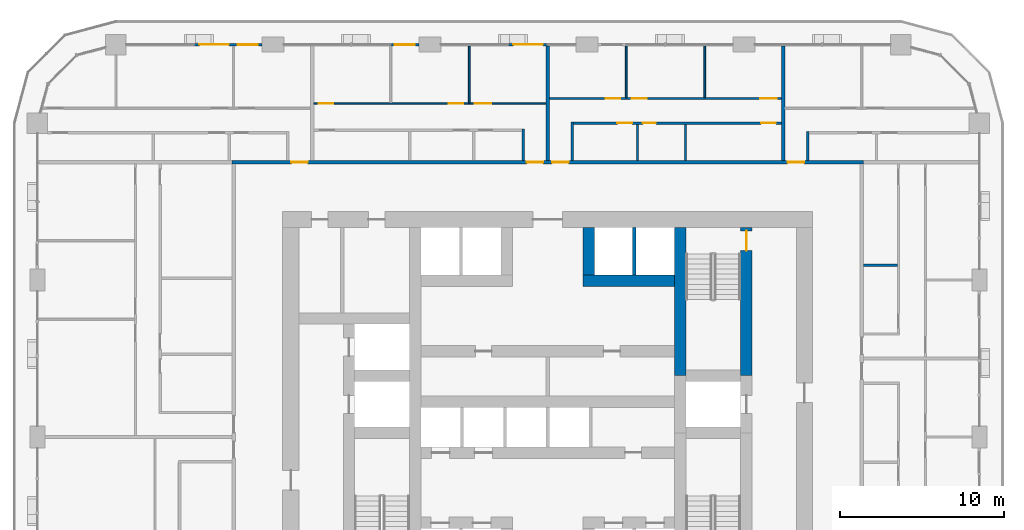
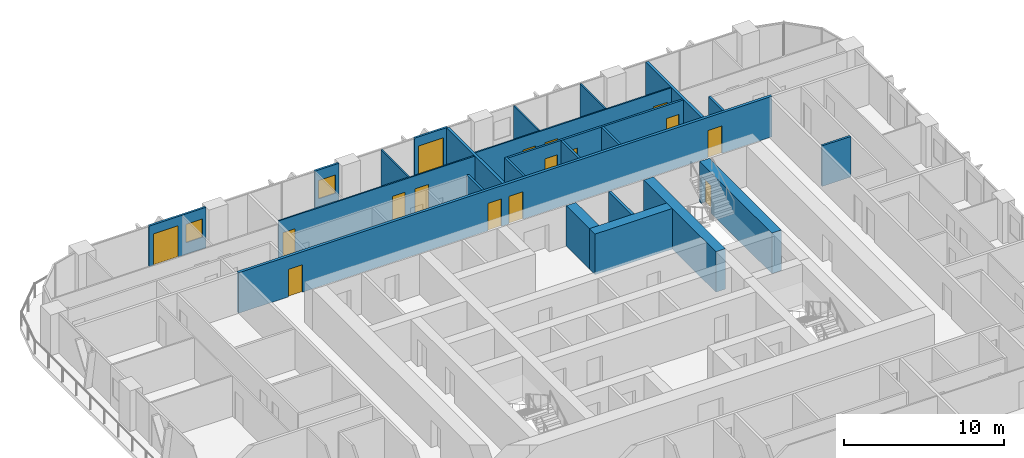
# One storey, part 14 of 21: 23 walls, 16 doors, 2 windows, 18 openings.
"""IFC4 building model written with IfcOpenShell, lengths in metres."""

from ifc_helpers import new_model, si_unit, direction, frame, frame_2d, origin, place, context, subcontext, project, spatial, rectangle, extrude, material, layer, layer_set, type_object, element, fill, save


model = new_model("IFC4")

# Units and contexts
model_context = context("Model", 3, precision=1e-05, world=origin(), true_north=direction((0.0, 1.0)))
body_context = subcontext(model_context, "Body", "Model", "MODEL_VIEW")
ifc_project = project(units=[si_unit("LENGTHUNIT", "METRE"), si_unit("AREAUNIT", "SQUARE_METRE"), si_unit("VOLUMEUNIT", "CUBIC_METRE"), si_unit("PLANEANGLEUNIT", "RADIAN"), si_unit("MASSUNIT", "GRAM", prefix="KILO")], contexts=[model_context])

# Site, building, storey
site_placement = place(None, origin())
site = spatial("IfcSite", under=ifc_project, at=site_placement, CompositionType="ELEMENT")
building_placement = place(site_placement, origin())
building = spatial("IfcBuilding", under=site, at=building_placement, Name="Madar Terraces", CompositionType="ELEMENT")
storey_placement = place(building_placement, frame((0.0, 0.0, 50.39990234375)))
storey = spatial("IfcBuildingStorey", under=building, at=storey_placement, Name="L12", CompositionType="ELEMENT", Elevation=50.39990234375)

# Wall
ifc_material_1 = material(Name="Concrete C80/95", Category="concrete")
ifc_layer_1 = layer(ifc_material_1, 0.699951171875)
ifc_layer_set_1 = layer_set([ifc_layer_1], Name="Concrete C80/95 (CIW1 RC wall 700)")
wall_type_1 = type_object("IfcWallType", Name="CIW1 RC wall 700", PredefinedType="SHEAR", material=ifc_layer_set_1)
wall_1_placement = place(storey_placement, frame((39.300048828125, 27.75, 0.0), z_axis=(0.0, 0.0, 1.0), x_axis=(0.0, 1.0, 0.0)))
element("IfcWall", 1, at=wall_1_placement, inside=storey, type_object=wall_type_1, Name="CORE SHAFT WALL", PredefinedType="SHEAR", context=body_context, shape_type="SweptSolid", body=[
    extrude(rectangle(XDim=9.050048828125, YDim=0.699951171875, at=frame_2d((4.52490234375, 0.0))), origin(), (0.0, 0.0, 1.0), 3.10009765625),
])

# Wall, opening, door
wall_2_placement = place(storey_placement, frame((43.35009765625, 27.75, 0.0), z_axis=(0.0, 0.0, 1.0), x_axis=(0.0, 1.0, 0.0)))
wall_2 = element("IfcWall", 2, at=wall_2_placement, inside=storey, type_object=wall_type_1, Name="CORE SHAFT WALL", PredefinedType="SHEAR", context=body_context, shape_type="SweptSolid", body=[
    extrude(rectangle(XDim=9.050048828125, YDim=0.699951171875, at=frame_2d((4.52490234375, 0.0))), origin(), (0.0, 0.0, 1.0), 3.10009765625),
])
opening_1_placement = place(wall_2_placement, frame((7.64990234375, 0.0, 0.0)))
opening_1 = element("IfcOpeningElement", 3, at=opening_1_placement, cuts=wall_2, Name="Opening SD1", PredefinedType="OPENING", context=body_context, shape_type="SweptSolid", body=[
    extrude(rectangle(XDim=1.199951171875, YDim=2.10009765625, at=frame_2d((0.60009765625, 1.050048828125))), frame((0.0, 0.35986328125, 0.0), z_axis=(0.0, -1.0, 0.0), x_axis=(1.0, 0.0, 0.0)), (0.0, 0.0, 1.0), 0.719970703125),
])
ifc_material_2 = material(Name="Steel door leaf", Category="steel")
door_type_1 = type_object("IfcDoorType", Name="Stair door 1200 x 2100", OperationType="NOTDEFINED", PredefinedType="DOOR", material=ifc_material_2)
door_1_placement = place(opening_1_placement, origin())
door_1 = element("IfcDoor", 4, at=door_1_placement, inside=storey, type_object=door_type_1, Name="STAIR DOOR", OperationType="SINGLE_SWING_RIGHT", OverallHeight=2.10009765625, OverallWidth=1.199951171875, PredefinedType="DOOR", context=body_context, shape_type="SweptSolid", body=[
    extrude(rectangle(XDim=1.199951171875, YDim=2.10009765625, at=frame_2d((0.60009765625, 1.050048828125))), frame((0.0, 0.02490234375, 0.0), z_axis=(0.0, -1.0, 0.0), x_axis=(1.0, 0.0, 0.0)), (0.0, 0.0, 1.0), 0.050048828125),
])
fill(opening_1, door_1)

# Walls
wall_3_placement = place(storey_placement, frame((33.35009765625, 33.550048828125, 0.0), z_axis=(0.0, 0.0, 1.0), x_axis=(1.0, 0.0, 0.0)))
element("IfcWall", 5, at=wall_3_placement, inside=storey, type_object=wall_type_1, Name="CORE SHAFT WALL", PredefinedType="SHEAR", context=body_context, shape_type="SweptSolid", body=[
    extrude(rectangle(XDim=5.599853515625, YDim=0.699951171875, at=frame_2d((2.7998046875, 0.0))), origin(), (0.0, 0.0, 1.0), 3.10009765625),
])
wall_4_placement = place(storey_placement, frame((33.699951171875, 33.89990234375, 0.0), z_axis=(0.0, 0.0, 1.0), x_axis=(0.0, 1.0, 0.0)))
element("IfcWall", 6, at=wall_4_placement, inside=storey, type_object=wall_type_1, Name="CORE SHAFT WALL", PredefinedType="SHEAR", context=body_context, shape_type="SweptSolid", body=[
    extrude(rectangle(XDim=2.900146484375, YDim=0.699951171875, at=frame_2d((1.4501953125, 0.0))), origin(), (0.0, 0.0, 1.0), 3.10009765625),
])
ifc_material_3 = material(Name="Concrete C40/50", Category="concrete")
ifc_layer_2 = layer(ifc_material_3, 0.199951171875)
ifc_layer_set_2 = layer_set([ifc_layer_2], Name="Core shaft dividing wall 200 C40/50")
wall_type_2 = type_object("IfcWallType", Name="Core shaft dividing wall 200 C40/50", PredefinedType="SOLIDWALL", material=ifc_layer_set_2)
wall_5_placement = place(storey_placement, frame((36.5, 33.89990234375, 0.0), z_axis=(0.0, 0.0, 1.0), x_axis=(0.0, 1.0, 0.0)))
element("IfcWall", 7, at=wall_5_placement, inside=storey, type_object=wall_type_2, Name="SHAFT DIVIDING WALL", PredefinedType="SOLIDWALL", context=body_context, shape_type="SweptSolid", body=[
    extrude(rectangle(XDim=2.900146484375, YDim=0.199951171875, at=frame_2d((1.4501953125, 0.0))), origin(), (0.0, 0.0, 1.0), 3.10009765625),
])

# Wall, opening, door
ifc_material_4 = material(Name="Aluminium composite panel, black, over insulated backing", Category="aluminium")
ifc_layer_3 = layer(ifc_material_4, 0.14990234375)
ifc_layer_set_3 = layer_set([ifc_layer_3], Name="Facade bay panel 150")
wall_type_3 = type_object("IfcWallType", Name="Facade bay panel 150", PredefinedType="SOLIDWALL", material=ifc_layer_set_3)
wall_6_placement = place(storey_placement, frame((31.199951171875, 48.0, 0.0), z_axis=(0.0, 0.0, 1.0), x_axis=(-1.0, 0.0, 0.0)))
wall_6 = element("IfcWall", 8, at=wall_6_placement, inside=storey, type_object=wall_type_3, Name="Facade bay panel", PredefinedType="SOLIDWALL", context=body_context, shape_type="SweptSolid", body=[
    extrude(rectangle(XDim=2.39990234375, YDim=0.14990234375, at=frame_2d((1.199951171875, 0.0))), origin(), (0.0, 0.0, 1.0), 3.10009765625),
])
opening_2_placement = place(wall_6_placement, frame((0.300048828125, 0.0, 0.0)))
opening_2 = element("IfcOpeningElement", 9, at=opening_2_placement, cuts=wall_6, Name="Opening ED1", PredefinedType="OPENING", context=body_context, shape_type="SweptSolid", body=[
    extrude(rectangle(XDim=1.800048828125, YDim=2.39990234375, at=frame_2d((0.89990234375, 1.199951171875))), frame((0.0, 0.0849609375, 0.0), z_axis=(0.0, -1.0, 0.0), x_axis=(1.0, 0.0, 0.0)), (0.0, 0.0, 1.0), 0.169921875),
])
ifc_material_5 = material(Name="Glass, clear, with black aluminium frame", Category="aluminium")
door_type_2 = type_object("IfcDoorType", Name="Balcony and terrace sliding door 1800 x 2400", OperationType="SLIDING_TO_LEFT", PredefinedType="DOOR", material=ifc_material_5)
door_2_placement = place(opening_2_placement, origin())
door_2 = element("IfcDoor", 10, at=door_2_placement, inside=storey, type_object=door_type_2, Name="Balcony door", OperationType="SLIDING_TO_LEFT", OverallHeight=2.39990234375, OverallWidth=1.800048828125, PredefinedType="DOOR", context=body_context, shape_type="SweptSolid", body=[
    extrude(rectangle(XDim=1.800048828125, YDim=2.39990234375, at=frame_2d((0.89990234375, 1.199951171875))), frame((0.0, 0.02490234375, 0.0), z_axis=(0.0, -1.0, 0.0), x_axis=(1.0, 0.0, 0.0)), (0.0, 0.0, 1.0), 0.050048828125),
])
fill(opening_2, door_2)

# Wall, opening, window
wall_7_placement = place(storey_placement, frame((23.324951171875, 48.0, 0.0), z_axis=(0.0, 0.0, 1.0), x_axis=(-1.0, 0.0, 0.0)))
wall_7 = element("IfcWall", 11, at=wall_7_placement, inside=storey, type_object=wall_type_3, Name="Facade bay panel", PredefinedType="SOLIDWALL", context=body_context, shape_type="SweptSolid", body=[
    extrude(rectangle(XDim=1.724853515625, YDim=0.14990234375, at=frame_2d((0.8623046875, 0.0))), origin(), (0.0, 0.0, 1.0), 3.10009765625),
])
opening_3_placement = place(wall_7_placement, frame((0.262451171875, 0.0, 0.89990234375)))
opening_3 = element("IfcOpeningElement", 12, at=opening_3_placement, cuts=wall_7, Name="Opening W1", PredefinedType="OPENING", context=body_context, shape_type="SweptSolid", body=[
    extrude(rectangle(XDim=1.199951171875, YDim=1.39990234375, at=frame_2d((0.60009765625, 0.699951171875))), frame((0.0, 0.0849609375, 0.0), z_axis=(0.0, -1.0, 0.0), x_axis=(1.0, 0.0, 0.0)), (0.0, 0.0, 1.0), 0.169921875),
])
ifc_material_6 = material(Name="Glass, clear, with black aluminium frame", Category="aluminium")
window_type = type_object("IfcWindowType", Name="Vent window 1200 x 1400", PartitioningType="SINGLE_PANEL", PredefinedType="WINDOW", material=ifc_material_6)
window_1_placement = place(opening_3_placement, origin())
window_1 = element("IfcWindow", 13, at=window_1_placement, inside=storey, type_object=window_type, Name="Operable vent window", OverallHeight=1.39990234375, OverallWidth=1.199951171875, PartitioningType="SINGLE_PANEL", PredefinedType="WINDOW", context=body_context, shape_type="SweptSolid", body=[
    extrude(rectangle(XDim=1.199951171875, YDim=1.39990234375, at=frame_2d((0.60009765625, 0.699951171875))), frame((0.0, 0.030029296875, 0.0), z_axis=(0.0, -1.0, 0.0), x_axis=(1.0, 0.0, 0.0)), (0.0, 0.0, 1.0), 0.06005859375),
])
fill(opening_3, window_1)

# Wall, openings, door, window
wall_8_placement = place(storey_placement, frame((13.72509765625, 48.0, 0.0), z_axis=(0.0, 0.0, 1.0), x_axis=(-1.0, 0.0, 0.0)))
wall_8 = element("IfcWall", 14, at=wall_8_placement, inside=storey, type_object=wall_type_3, Name="Facade bay panel", PredefinedType="SOLIDWALL", context=body_context, shape_type="SweptSolid", body=[
    extrude(rectangle(XDim=4.125, YDim=0.14990234375, at=frame_2d((2.0625, 0.0))), origin(), (0.0, 0.0, 1.0), 3.10009765625),
])
opening_4_placement = place(wall_8_placement, frame((0.262451171875, 0.0, 0.89990234375)))
opening_4 = element("IfcOpeningElement", 15, at=opening_4_placement, cuts=wall_8, Name="Opening W1", PredefinedType="OPENING", context=body_context, shape_type="SweptSolid", body=[
    extrude(rectangle(XDim=1.199951171875, YDim=1.39990234375, at=frame_2d((0.60009765625, 0.699951171875))), frame((0.0, 0.0849609375, 0.0), z_axis=(0.0, -1.0, 0.0), x_axis=(1.0, 0.0, 0.0)), (0.0, 0.0, 1.0), 0.169921875),
])
opening_5_placement = place(wall_8_placement, frame((2.02490234375, 0.0, 0.0)))
opening_5 = element("IfcOpeningElement", 16, at=opening_5_placement, cuts=wall_8, Name="Opening ED1", PredefinedType="OPENING", context=body_context, shape_type="SweptSolid", body=[
    extrude(rectangle(XDim=1.800048828125, YDim=2.39990234375, at=frame_2d((0.89990234375, 1.199951171875))), frame((0.0, 0.0849609375, 0.0), z_axis=(0.0, -1.0, 0.0), x_axis=(1.0, 0.0, 0.0)), (0.0, 0.0, 1.0), 0.169921875),
])
door_3_placement = place(opening_5_placement, origin())
door_3 = element("IfcDoor", 17, at=door_3_placement, inside=storey, type_object=door_type_2, Name="Balcony door", OperationType="SLIDING_TO_RIGHT", OverallHeight=2.39990234375, OverallWidth=1.800048828125, PredefinedType="DOOR", context=body_context, shape_type="SweptSolid", body=[
    extrude(rectangle(XDim=1.800048828125, YDim=2.39990234375, at=frame_2d((0.89990234375, 1.199951171875))), frame((0.0, 0.02490234375, 0.0), z_axis=(0.0, -1.0, 0.0), x_axis=(1.0, 0.0, 0.0)), (0.0, 0.0, 1.0), 0.050048828125),
])
fill(opening_5, door_3)
window_2_placement = place(opening_4_placement, origin())
window_2 = element("IfcWindow", 18, at=window_2_placement, inside=storey, type_object=window_type, Name="Operable vent window", OverallHeight=1.39990234375, OverallWidth=1.199951171875, PartitioningType="SINGLE_PANEL", PredefinedType="WINDOW", context=body_context, shape_type="SweptSolid", body=[
    extrude(rectangle(XDim=1.199951171875, YDim=1.39990234375, at=frame_2d((0.60009765625, 0.699951171875))), frame((0.0, 0.030029296875, 0.0), z_axis=(0.0, -1.0, 0.0), x_axis=(1.0, 0.0, 0.0)), (0.0, 0.0, 1.0), 0.06005859375),
])
fill(opening_4, window_2)

# Walls
ifc_material_7 = material(Name="Gypsum board on steel studs", Category="steel")
ifc_layer_4 = layer(ifc_material_7, 0.10009765625)
ifc_layer_set_4 = layer_set([ifc_layer_4], Name="Flat partition 100")
wall_type_4 = type_object("IfcWallType", Name="Flat partition 100", PredefinedType="PARTITIONING", material=ifc_layer_set_4)
for number, where, z_axis, x_axis, name in (
    (19, (36.0, 44.75, 0.0), (0.0, 0.0, 1.0), (0.0, 1.0, 0.0), "Flat partition 100"),
    (20, (40.800048828125, 44.75, 0.0), (0.0, 0.0, 1.0), (0.0, 1.0, 0.0), "Flat partition 100"),
):
    element("IfcWall", number, at=place(storey_placement, frame(where, z_axis=z_axis, x_axis=x_axis)), inside=storey, type_object=wall_type_4, Name=name, PredefinedType="PARTITIONING", context=body_context, shape_type="SweptSolid", body=[
        extrude(rectangle(XDim=3.14990234375, YDim=0.10009765625, at=frame_2d((1.574951171875, 0.0))), origin(), (0.0, 0.0, 1.0), 3.10009765625),
    ])

# Wall, openings, doors
wall_9_placement = place(storey_placement, frame((31.300048828125, 44.699951171875, 0.0), z_axis=(0.0, 0.0, 1.0), x_axis=(1.0, 0.0, 0.0)))
wall_9 = element("IfcWall", 21, at=wall_9_placement, inside=storey, type_object=wall_type_4, Name="Flat partition 100", PredefinedType="PARTITIONING", context=body_context, shape_type="SweptSolid", body=[
    extrude(rectangle(XDim=14.199951171875, YDim=0.10009765625, at=frame_2d((7.10009765625, 0.0))), origin(), (0.0, 0.0, 1.0), 3.10009765625),
])
opening_6_placement = place(wall_9_placement, frame((3.449951171875, 0.0, 0.0)))
opening_6 = element("IfcOpeningElement", 22, at=opening_6_placement, cuts=wall_9, Name="Opening D2", PredefinedType="OPENING", context=body_context, shape_type="SweptSolid", body=[
    extrude(rectangle(XDim=0.89990234375, YDim=2.10009765625, at=frame_2d((0.449951171875, 1.050048828125))), frame((0.0, 0.06005859375, 0.0), z_axis=(0.0, -1.0, 0.0), x_axis=(1.0, 0.0, 0.0)), (0.0, 0.0, 1.0), 0.1201171875),
])
opening_7_placement = place(wall_9_placement, frame((5.050048828125, 0.0, 0.0)))
opening_7 = element("IfcOpeningElement", 23, at=opening_7_placement, cuts=wall_9, Name="Opening D2", PredefinedType="OPENING", context=body_context, shape_type="SweptSolid", body=[
    extrude(rectangle(XDim=0.89990234375, YDim=2.10009765625, at=frame_2d((0.449951171875, 1.050048828125))), frame((0.0, 0.06005859375, 0.0), z_axis=(0.0, -1.0, 0.0), x_axis=(1.0, 0.0, 0.0)), (0.0, 0.0, 1.0), 0.1201171875),
])
opening_8_placement = place(wall_9_placement, frame((12.89990234375, 0.0, 0.0)))
opening_8 = element("IfcOpeningElement", 24, at=opening_8_placement, cuts=wall_9, Name="Opening D3", PredefinedType="OPENING", context=body_context, shape_type="SweptSolid", body=[
    extrude(rectangle(XDim=1.0, YDim=2.10009765625, at=frame_2d((0.5, 1.050048828125))), frame((0.0, 0.06005859375, 0.0), z_axis=(0.0, -1.0, 0.0), x_axis=(1.0, 0.0, 0.0)), (0.0, 0.0, 1.0), 0.1201171875),
])
ifc_material_8 = material(Name="Timber door leaf", Category="wood")
door_type_3 = type_object("IfcDoorType", Name="Flat living room door 1000", OperationType="NOTDEFINED", PredefinedType="DOOR", material=ifc_material_8)
door_4_placement = place(opening_8_placement, origin())
door_4 = element("IfcDoor", 25, at=door_4_placement, inside=storey, type_object=door_type_3, Name="Flat living room door 1000", OperationType="SINGLE_SWING_RIGHT", OverallHeight=2.10009765625, OverallWidth=1.0, PredefinedType="DOOR", context=body_context, shape_type="SweptSolid", body=[
    extrude(rectangle(XDim=1.0, YDim=2.10009765625, at=frame_2d((0.5, 1.050048828125))), frame((0.0, 0.02490234375, 0.0), z_axis=(0.0, -1.0, 0.0), x_axis=(1.0, 0.0, 0.0)), (0.0, 0.0, 1.0), 0.050048828125),
])
fill(opening_8, door_4)
ifc_material_9 = material(Name="Timber door leaf", Category="wood")
door_type_4 = type_object("IfcDoorType", Name="Flat room door 900", OperationType="NOTDEFINED", PredefinedType="DOOR", material=ifc_material_9)
door_5_placement = place(opening_6_placement, origin())
door_5 = element("IfcDoor", 26, at=door_5_placement, inside=storey, type_object=door_type_4, Name="Flat room door 900", OperationType="SINGLE_SWING_RIGHT", OverallHeight=2.10009765625, OverallWidth=0.89990234375, PredefinedType="DOOR", context=body_context, shape_type="SweptSolid", body=[
    extrude(rectangle(XDim=0.89990234375, YDim=2.10009765625, at=frame_2d((0.449951171875, 1.050048828125))), frame((0.0, 0.02490234375, 0.0), z_axis=(0.0, -1.0, 0.0), x_axis=(1.0, 0.0, 0.0)), (0.0, 0.0, 1.0), 0.050048828125),
])
fill(opening_6, door_5)
door_6_placement = place(opening_7_placement, origin())
door_6 = element("IfcDoor", 27, at=door_6_placement, inside=storey, type_object=door_type_4, Name="Flat room door 900", OperationType="SINGLE_SWING_LEFT", OverallHeight=2.10009765625, OverallWidth=0.89990234375, PredefinedType="DOOR", context=body_context, shape_type="SweptSolid", body=[
    extrude(rectangle(XDim=0.89990234375, YDim=2.10009765625, at=frame_2d((0.449951171875, 1.050048828125))), frame((0.0, 0.02490234375, 0.0), z_axis=(0.0, -1.0, 0.0), x_axis=(1.0, 0.0, 0.0)), (0.0, 0.0, 1.0), 0.050048828125),
])
fill(opening_7, door_6)

# Wall
wall_10_placement = place(storey_placement, frame((26.39990234375, 44.449951171875, 0.0), z_axis=(0.0, 0.0, 1.0), x_axis=(0.0, 1.0, 0.0)))
element("IfcWall", 28, at=wall_10_placement, inside=storey, type_object=wall_type_4, Name="Flat partition 100", PredefinedType="PARTITIONING", context=body_context, shape_type="SweptSolid", body=[
    extrude(rectangle(XDim=3.449951171875, YDim=0.10009765625, at=frame_2d((1.72509765625, 0.0))), origin(), (0.0, 0.0, 1.0), 3.10009765625),
])

# Wall, openings, doors
wall_11_placement = place(storey_placement, frame((16.89990234375, 44.39990234375, 0.0), z_axis=(0.0, 0.0, 1.0), x_axis=(1.0, 0.0, 0.0)))
wall_11 = element("IfcWall", 29, at=wall_11_placement, inside=storey, type_object=wall_type_4, Name="Flat partition 100", PredefinedType="PARTITIONING", context=body_context, shape_type="SweptSolid", body=[
    extrude(rectangle(XDim=14.2001953125, YDim=0.10009765625, at=frame_2d((7.10009765625, 0.0))), origin(), (0.0, 0.0, 1.0), 3.10009765625),
])
opening_9_placement = place(wall_11_placement, frame((9.85009765625, 0.0, 0.0)))
opening_9 = element("IfcOpeningElement", 30, at=opening_9_placement, cuts=wall_11, Name="Opening D3", PredefinedType="OPENING", context=body_context, shape_type="SweptSolid", body=[
    extrude(rectangle(XDim=1.0, YDim=2.10009765625, at=frame_2d((0.5, 1.050048828125))), frame((0.0, 0.06005859375, 0.0), z_axis=(0.0, -1.0, 0.0), x_axis=(1.0, 0.0, 0.0)), (0.0, 0.0, 1.0), 0.1201171875),
])
opening_10_placement = place(wall_11_placement, frame((8.25, 0.0, 0.0)))
opening_10 = element("IfcOpeningElement", 31, at=opening_10_placement, cuts=wall_11, Name="Opening D2", PredefinedType="OPENING", context=body_context, shape_type="SweptSolid", body=[
    extrude(rectangle(XDim=0.89990234375, YDim=2.10009765625, at=frame_2d((0.449951171875, 1.050048828125))), frame((0.0, 0.06005859375, 0.0), z_axis=(0.0, -1.0, 0.0), x_axis=(1.0, 0.0, 0.0)), (0.0, 0.0, 1.0), 0.1201171875),
])
opening_11_placement = place(wall_11_placement, frame((0.300048828125, 0.0, 0.0)))
opening_11 = element("IfcOpeningElement", 32, at=opening_11_placement, cuts=wall_11, Name="Opening D2", PredefinedType="OPENING", context=body_context, shape_type="SweptSolid", body=[
    extrude(rectangle(XDim=0.89990234375, YDim=2.10009765625, at=frame_2d((0.449951171875, 1.050048828125))), frame((0.0, 0.06005859375, 0.0), z_axis=(0.0, -1.0, 0.0), x_axis=(1.0, 0.0, 0.0)), (0.0, 0.0, 1.0), 0.1201171875),
])
door_7_placement = place(opening_9_placement, origin())
door_7 = element("IfcDoor", 33, at=door_7_placement, inside=storey, type_object=door_type_3, Name="Flat living room door 1000", OperationType="SINGLE_SWING_LEFT", OverallHeight=2.10009765625, OverallWidth=1.0, PredefinedType="DOOR", context=body_context, shape_type="SweptSolid", body=[
    extrude(rectangle(XDim=1.0, YDim=2.10009765625, at=frame_2d((0.5, 1.050048828125))), frame((0.0, 0.02490234375, 0.0), z_axis=(0.0, -1.0, 0.0), x_axis=(1.0, 0.0, 0.0)), (0.0, 0.0, 1.0), 0.050048828125),
])
fill(opening_9, door_7)
door_8_placement = place(opening_10_placement, origin())
door_8 = element("IfcDoor", 34, at=door_8_placement, inside=storey, type_object=door_type_4, Name="Flat room door 900", OperationType="SINGLE_SWING_RIGHT", OverallHeight=2.10009765625, OverallWidth=0.89990234375, PredefinedType="DOOR", context=body_context, shape_type="SweptSolid", body=[
    extrude(rectangle(XDim=0.89990234375, YDim=2.10009765625, at=frame_2d((0.449951171875, 1.050048828125))), frame((0.0, 0.02490234375, 0.0), z_axis=(0.0, -1.0, 0.0), x_axis=(1.0, 0.0, 0.0)), (0.0, 0.0, 1.0), 0.050048828125),
])
fill(opening_10, door_8)
door_9_placement = place(opening_11_placement, origin())
door_9 = element("IfcDoor", 35, at=door_9_placement, inside=storey, type_object=door_type_4, Name="Flat room door 900", OperationType="SINGLE_SWING_LEFT", OverallHeight=2.10009765625, OverallWidth=0.89990234375, PredefinedType="DOOR", context=body_context, shape_type="SweptSolid", body=[
    extrude(rectangle(XDim=0.89990234375, YDim=2.10009765625, at=frame_2d((0.449951171875, 1.050048828125))), frame((0.0, 0.02490234375, 0.0), z_axis=(0.0, -1.0, 0.0), x_axis=(1.0, 0.0, 0.0)), (0.0, 0.0, 1.0), 0.050048828125),
])
fill(opening_11, door_9)

ifc_material_10 = material(Name="Lightweight blockwork", Category="masonry")
ifc_layer_5 = layer(ifc_material_10, 0.199951171875)
ifc_layer_set_5 = layer_set([ifc_layer_5], Name="Flat party and entrance wall 200")
wall_type_5 = type_object("IfcWallType", Name="Flat party and entrance wall 200", PredefinedType="PARTITIONING", material=ifc_layer_set_5)
wall_12_placement = place(storey_placement, frame((11.89990234375, 40.800048828125, 0.0), z_axis=(0.0, 0.0, 1.0), x_axis=(1.0, 0.0, 0.0)))
wall_12 = element("IfcWall", 36, at=wall_12_placement, inside=storey, type_object=wall_type_5, Name="Flat party and entrance wall 200", PredefinedType="PARTITIONING", context=body_context, shape_type="SweptSolid", body=[
    extrude(rectangle(XDim=38.60009765625, YDim=0.199951171875, at=frame_2d((19.300048828125, 0.0))), origin(), (0.0, 0.0, 1.0), 3.10009765625),
])
opening_12_placement = place(wall_12_placement, frame((33.97509765625, 0.0, 0.0)))
opening_12 = element("IfcOpeningElement", 37, at=opening_12_placement, cuts=wall_12, Name="Opening D1", PredefinedType="OPENING", context=body_context, shape_type="SweptSolid", body=[
    extrude(rectangle(XDim=1.0, YDim=2.10009765625, at=frame_2d((0.5, 1.050048828125))), frame((0.0, 0.10986328125, 0.0), z_axis=(0.0, -1.0, 0.0), x_axis=(1.0, 0.0, 0.0)), (0.0, 0.0, 1.0), 0.219970703125),
])
opening_13_placement = place(wall_12_placement, frame((19.574951171875, 0.0, 0.0)))
opening_13 = element("IfcOpeningElement", 38, at=opening_13_placement, cuts=wall_12, Name="Opening D1", PredefinedType="OPENING", context=body_context, shape_type="SweptSolid", body=[
    extrude(rectangle(XDim=1.0, YDim=2.10009765625, at=frame_2d((0.5, 1.050048828125))), frame((0.0, 0.10986328125, 0.0), z_axis=(0.0, -1.0, 0.0), x_axis=(1.0, 0.0, 0.0)), (0.0, 0.0, 1.0), 0.219970703125),
])
opening_14_placement = place(wall_12_placement, frame((18.02490234375, 0.0, 0.0)))
opening_14 = element("IfcOpeningElement", 39, at=opening_14_placement, cuts=wall_12, Name="Opening D1", PredefinedType="OPENING", context=body_context, shape_type="SweptSolid", body=[
    extrude(rectangle(XDim=1.0, YDim=2.10009765625, at=frame_2d((0.5, 1.050048828125))), frame((0.0, 0.10986328125, 0.0), z_axis=(0.0, -1.0, 0.0), x_axis=(1.0, 0.0, 0.0)), (0.0, 0.0, 1.0), 0.219970703125),
])
opening_15_placement = place(wall_12_placement, frame((3.625, 0.0, 0.0)))
opening_15 = element("IfcOpeningElement", 40, at=opening_15_placement, cuts=wall_12, Name="Opening D1", PredefinedType="OPENING", context=body_context, shape_type="SweptSolid", body=[
    extrude(rectangle(XDim=1.0, YDim=2.10009765625, at=frame_2d((0.5, 1.050048828125))), frame((0.0, 0.10986328125, 0.0), z_axis=(0.0, -1.0, 0.0), x_axis=(1.0, 0.0, 0.0)), (0.0, 0.0, 1.0), 0.219970703125),
])
ifc_material_11 = material(Name="Timber fire door leaf", Category="wood")
door_type_5 = type_object("IfcDoorType", Name="Flat entrance door 1000 FD30S", OperationType="NOTDEFINED", PredefinedType="DOOR", material=ifc_material_11)
door_10_placement = place(opening_12_placement, origin())
door_10 = element("IfcDoor", 41, at=door_10_placement, inside=storey, type_object=door_type_5, Name="Flat entrance door 1000 FD30S", OperationType="SINGLE_SWING_LEFT", OverallHeight=2.10009765625, OverallWidth=1.0, PredefinedType="DOOR", context=body_context, shape_type="SweptSolid", body=[
    extrude(rectangle(XDim=1.0, YDim=2.10009765625, at=frame_2d((0.5, 1.050048828125))), frame((0.0, 0.02490234375, 0.0), z_axis=(0.0, -1.0, 0.0), x_axis=(1.0, 0.0, 0.0)), (0.0, 0.0, 1.0), 0.050048828125),
])
fill(opening_12, door_10)
door_11_placement = place(opening_13_placement, origin())
door_11 = element("IfcDoor", 42, at=door_11_placement, inside=storey, type_object=door_type_5, Name="Flat entrance door 1000 FD30S", OperationType="SINGLE_SWING_LEFT", OverallHeight=2.10009765625, OverallWidth=1.0, PredefinedType="DOOR", context=body_context, shape_type="SweptSolid", body=[
    extrude(rectangle(XDim=1.0, YDim=2.10009765625, at=frame_2d((0.5, 1.050048828125))), frame((0.0, 0.02490234375, 0.0), z_axis=(0.0, -1.0, 0.0), x_axis=(1.0, 0.0, 0.0)), (0.0, 0.0, 1.0), 0.050048828125),
])
fill(opening_13, door_11)
door_12_placement = place(opening_14_placement, origin())
door_12 = element("IfcDoor", 43, at=door_12_placement, inside=storey, type_object=door_type_5, Name="Flat entrance door 1000 FD30S", OperationType="SINGLE_SWING_RIGHT", OverallHeight=2.10009765625, OverallWidth=1.0, PredefinedType="DOOR", context=body_context, shape_type="SweptSolid", body=[
    extrude(rectangle(XDim=1.0, YDim=2.10009765625, at=frame_2d((0.5, 1.050048828125))), frame((0.0, 0.02490234375, 0.0), z_axis=(0.0, -1.0, 0.0), x_axis=(1.0, 0.0, 0.0)), (0.0, 0.0, 1.0), 0.050048828125),
])
fill(opening_14, door_12)
door_13_placement = place(opening_15_placement, origin())
door_13 = element("IfcDoor", 44, at=door_13_placement, inside=storey, type_object=door_type_5, Name="Flat entrance door 1000 FD30S", OperationType="SINGLE_SWING_RIGHT", OverallHeight=2.10009765625, OverallWidth=1.0, PredefinedType="DOOR", context=body_context, shape_type="SweptSolid", body=[
    extrude(rectangle(XDim=1.0, YDim=2.10009765625, at=frame_2d((0.5, 1.050048828125))), frame((0.0, 0.02490234375, 0.0), z_axis=(0.0, -1.0, 0.0), x_axis=(1.0, 0.0, 0.0)), (0.0, 0.0, 1.0), 0.050048828125),
])
fill(opening_15, door_13)

# Walls
for number, where, z_axis, x_axis, name in (
    (45, (45.60009765625, 47.89990234375, 0.0), (0.0, 0.0, 1.0), (0.0, -1.0, 0.0), "Flat party and entrance wall 200"),
    (46, (31.199951171875, 47.89990234375, 0.0), (0.0, 0.0, 1.0), (0.0, -1.0, 0.0), "Flat party and entrance wall 200"),
):
    element("IfcWall", number, at=place(storey_placement, frame(where, z_axis=z_axis, x_axis=x_axis)), inside=storey, type_object=wall_type_5, Name=name, PredefinedType="PARTITIONING", context=body_context, shape_type="SweptSolid", body=[
        extrude(rectangle(XDim=7.0, YDim=0.199951171875, at=frame_2d((3.5, 0.0))), origin(), (0.0, 0.0, 1.0), 3.10009765625),
    ])
ifc_material_12 = material(Name="Lightweight blockwork", Category="masonry")
ifc_layer_6 = layer(ifc_material_12, 0.14990234375)
ifc_layer_set_6 = layer_set([ifc_layer_6], Name="Flat wet-room partition 150")
wall_type_6 = type_object("IfcWallType", Name="Flat wet-room partition 150", PredefinedType="PARTITIONING", material=ifc_layer_set_6)
wall_13_placement = place(storey_placement, frame((50.5, 34.5048828125, 0.0), z_axis=(0.0, 0.0, 1.0), x_axis=(1.0, 0.0, 0.0)))
element("IfcWall", 47, at=wall_13_placement, inside=storey, type_object=wall_type_6, Name="Flat wet-room partition 150", PredefinedType="PARTITIONING", context=body_context, shape_type="SweptSolid", body=[
    extrude(rectangle(XDim=2.074951171875, YDim=0.14990234375, at=frame_2d((1.03759765625, 0.0))), origin(), (0.0, 0.0, 1.0), 3.10009765625),
])
wall_14_placement = place(storey_placement, frame((47.10009765625, 40.89990234375, 0.0), z_axis=(0.0, 0.0, 1.0), x_axis=(0.0, 1.0, 0.0)))
element("IfcWall", 48, at=wall_14_placement, inside=storey, type_object=wall_type_6, Name="Flat wet-room partition 150", PredefinedType="PARTITIONING", context=body_context, shape_type="SweptSolid", body=[
    extrude(rectangle(XDim=1.775146484375, YDim=0.14990234375, at=frame_2d((0.8876953125, 0.0))), origin(), (0.0, 0.0, 1.0), 3.10009765625),
])
for number, where, z_axis, x_axis, name in (
    (49, (36.6904296875, 40.89990234375, 0.0), (0.0, 0.0, 1.0), (0.0, 1.0, 0.0), "Flat wet-room partition 150"),
    (50, (39.626953125, 40.89990234375, 0.0), (0.0, 0.0, 1.0), (0.0, 1.0, 0.0), "Flat wet-room partition 150"),
):
    element("IfcWall", number, at=place(storey_placement, frame(where, z_axis=z_axis, x_axis=x_axis)), inside=storey, type_object=wall_type_6, Name=name, PredefinedType="PARTITIONING", context=body_context, shape_type="SweptSolid", body=[
        extrude(rectangle(XDim=2.22509765625, YDim=0.14990234375, at=frame_2d((1.112548828125, 0.0))), origin(), (0.0, 0.0, 1.0), 3.10009765625),
    ])
wall_15_placement = place(storey_placement, frame((32.699951171875, 40.89990234375, 0.0), z_axis=(0.0, 0.0, 1.0), x_axis=(0.0, 1.0, 0.0)))
element("IfcWall", 51, at=wall_15_placement, inside=storey, type_object=wall_type_6, Name="Flat wet-room partition 150", PredefinedType="PARTITIONING", context=body_context, shape_type="SweptSolid", body=[
    extrude(rectangle(XDim=2.375, YDim=0.14990234375, at=frame_2d((1.1875, 0.0))), origin(), (0.0, 0.0, 1.0), 3.10009765625),
])

# Wall, openings, doors
wall_16_placement = place(storey_placement, frame((45.5, 43.199951171875, 0.0), z_axis=(0.0, 0.0, 1.0), x_axis=(-1.0, 0.0, 0.0)))
wall_16 = element("IfcWall", 52, at=wall_16_placement, inside=storey, type_object=wall_type_6, Name="Flat wet-room partition 150", PredefinedType="PARTITIONING", context=body_context, shape_type="SweptSolid", body=[
    extrude(rectangle(XDim=12.72509765625, YDim=0.14990234375, at=frame_2d((6.362548828125, 0.0))), origin(), (0.0, 0.0, 1.0), 3.10009765625),
])
opening_16_placement = place(wall_16_placement, frame((9.134521484375, 0.0, 0.0)))
opening_16 = element("IfcOpeningElement", 53, at=opening_16_placement, cuts=wall_16, Name="Opening D5", PredefinedType="OPENING", context=body_context, shape_type="SweptSolid", body=[
    extrude(rectangle(XDim=0.89990234375, YDim=2.10009765625, at=frame_2d((0.449951171875, 1.050048828125))), frame((0.0, 0.0849609375, 0.0), z_axis=(0.0, -1.0, 0.0), x_axis=(1.0, 0.0, 0.0)), (0.0, 0.0, 1.0), 0.169921875),
])
opening_17_placement = place(wall_16_placement, frame((7.6845703125, 0.0, 0.0)))
opening_17 = element("IfcOpeningElement", 54, at=opening_17_placement, cuts=wall_16, Name="Opening D4", PredefinedType="OPENING", context=body_context, shape_type="SweptSolid", body=[
    extrude(rectangle(XDim=0.800048828125, YDim=2.10009765625, at=frame_2d((0.39990234375, 1.050048828125))), frame((0.0, 0.0849609375, 0.0), z_axis=(0.0, -1.0, 0.0), x_axis=(1.0, 0.0, 0.0)), (0.0, 0.0, 1.0), 0.169921875),
])
opening_18_placement = place(wall_16_placement, frame((0.35009765625, 0.0, 0.0)))
opening_18 = element("IfcOpeningElement", 55, at=opening_18_placement, cuts=wall_16, Name="Opening D2", PredefinedType="OPENING", context=body_context, shape_type="SweptSolid", body=[
    extrude(rectangle(XDim=0.89990234375, YDim=2.10009765625, at=frame_2d((0.449951171875, 1.050048828125))), frame((0.0, 0.0849609375, 0.0), z_axis=(0.0, -1.0, 0.0), x_axis=(1.0, 0.0, 0.0)), (0.0, 0.0, 1.0), 0.169921875),
])
ifc_material_13 = material(Name="Timber door leaf", Category="wood")
door_type_6 = type_object("IfcDoorType", Name="Flat accessible bathroom door 900", OperationType="NOTDEFINED", PredefinedType="DOOR", material=ifc_material_13)
door_14_placement = place(opening_16_placement, origin())
door_14 = element("IfcDoor", 56, at=door_14_placement, inside=storey, type_object=door_type_6, Name="Flat accessible bathroom door 900", OperationType="SINGLE_SWING_LEFT", OverallHeight=2.10009765625, OverallWidth=0.89990234375, PredefinedType="DOOR", context=body_context, shape_type="SweptSolid", body=[
    extrude(rectangle(XDim=0.89990234375, YDim=2.10009765625, at=frame_2d((0.449951171875, 1.050048828125))), frame((0.0, 0.02490234375, 0.0), z_axis=(0.0, -1.0, 0.0), x_axis=(1.0, 0.0, 0.0)), (0.0, 0.0, 1.0), 0.050048828125),
])
fill(opening_16, door_14)
ifc_material_14 = material(Name="Timber door leaf", Category="wood")
door_type_7 = type_object("IfcDoorType", Name="Flat bathroom door 800", OperationType="NOTDEFINED", PredefinedType="DOOR", material=ifc_material_14)
door_15_placement = place(opening_17_placement, origin())
door_15 = element("IfcDoor", 57, at=door_15_placement, inside=storey, type_object=door_type_7, Name="Flat bathroom door 800", OperationType="SINGLE_SWING_RIGHT", OverallHeight=2.10009765625, OverallWidth=0.800048828125, PredefinedType="DOOR", context=body_context, shape_type="SweptSolid", body=[
    extrude(rectangle(XDim=0.800048828125, YDim=2.10009765625, at=frame_2d((0.39990234375, 1.050048828125))), frame((0.0, 0.02490234375, 0.0), z_axis=(0.0, -1.0, 0.0), x_axis=(1.0, 0.0, 0.0)), (0.0, 0.0, 1.0), 0.050048828125),
])
fill(opening_17, door_15)
door_16_placement = place(opening_18_placement, origin())
door_16 = element("IfcDoor", 58, at=door_16_placement, inside=storey, type_object=door_type_4, Name="Flat room door 900", OperationType="SINGLE_SWING_LEFT", OverallHeight=2.10009765625, OverallWidth=0.89990234375, PredefinedType="DOOR", context=body_context, shape_type="SweptSolid", body=[
    extrude(rectangle(XDim=0.89990234375, YDim=2.10009765625, at=frame_2d((0.449951171875, 1.050048828125))), frame((0.0, 0.02490234375, 0.0), z_axis=(0.0, -1.0, 0.0), x_axis=(1.0, 0.0, 0.0)), (0.0, 0.0, 1.0), 0.050048828125),
])
fill(opening_18, door_16)

# Wall
wall_17_placement = place(storey_placement, frame((29.699951171875, 40.89990234375, 0.0), z_axis=(0.0, 0.0, 1.0), x_axis=(0.0, 1.0, 0.0)))
element("IfcWall", 59, at=wall_17_placement, inside=storey, type_object=wall_type_6, Name="Flat wet-room partition 150", PredefinedType="PARTITIONING", context=body_context, shape_type="SweptSolid", body=[
    extrude(rectangle(XDim=1.925048828125, YDim=0.14990234375, at=frame_2d((0.96240234375, 0.0))), origin(), (0.0, 0.0, 1.0), 3.10009765625),
])

save(model, "model.ifc")
